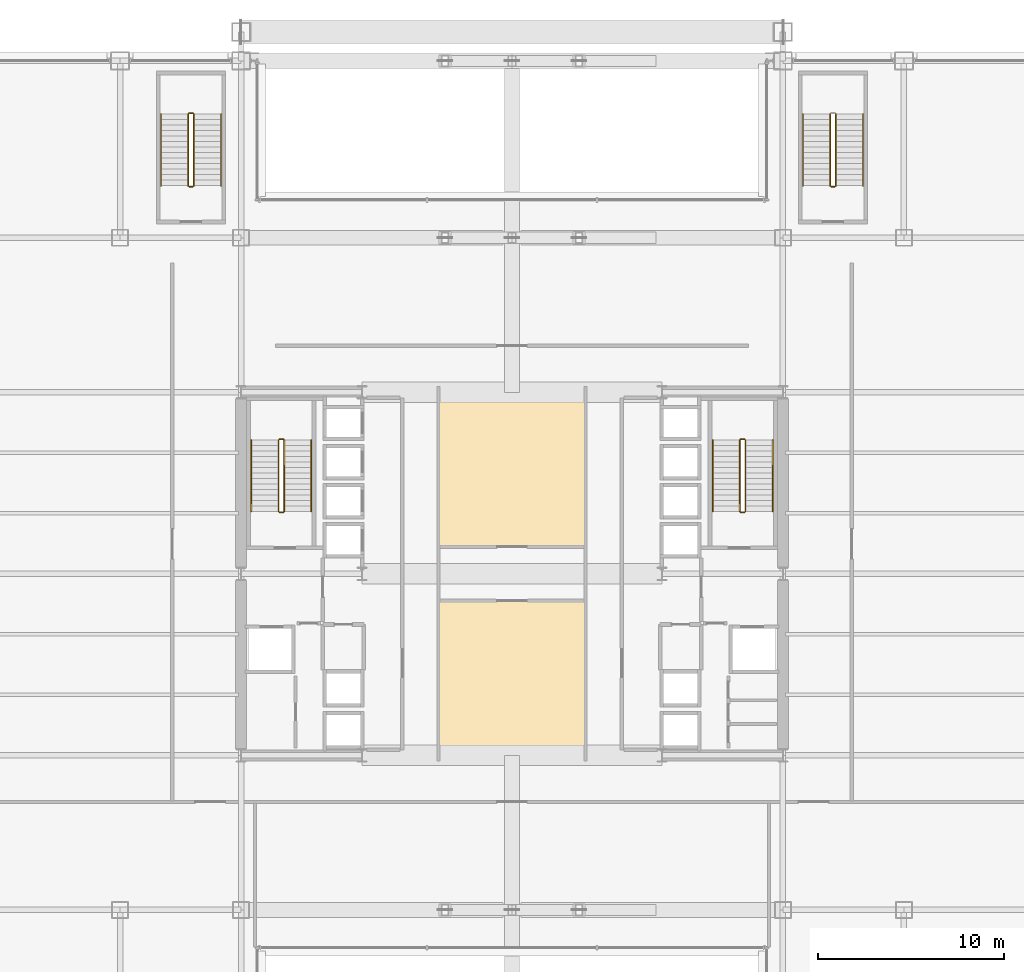
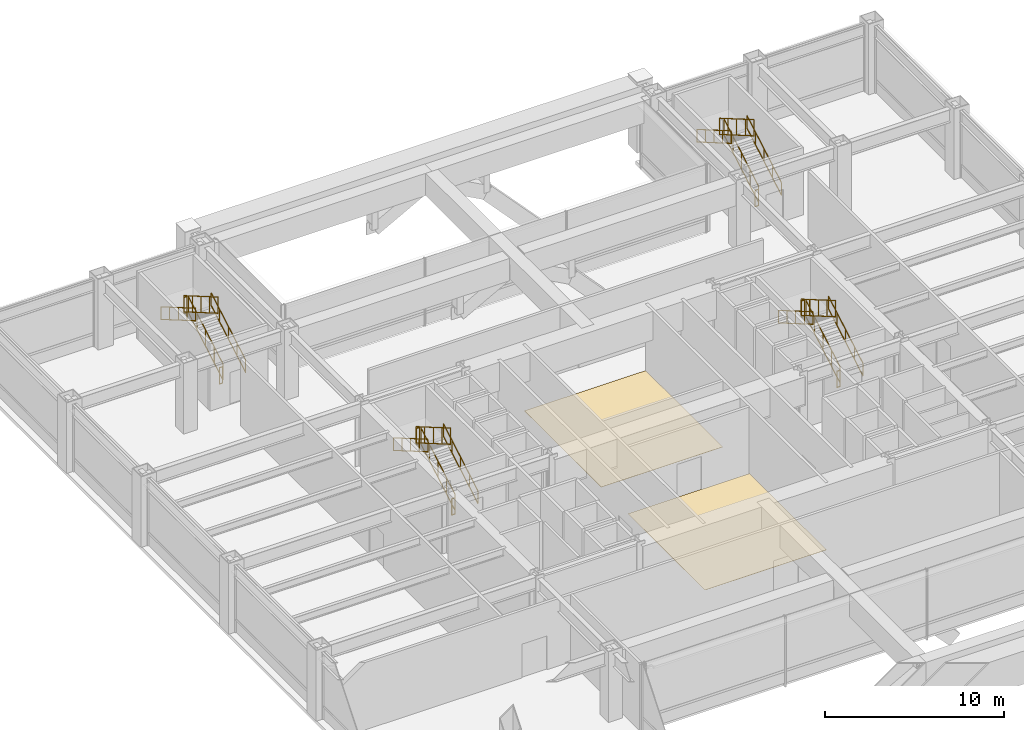
# One storey, part 36 of 37: 23 railings, 2 coverings.
"""IFC4 building model written with IfcOpenShell, lengths in metres."""

from ifc_helpers import new_model, si_unit, direction, frame, origin, origin_2d, place, context, subcontext, project, spatial, polyline, rectangle, outline, extrude, material, layer, layer_set, type_object, element, save


model = new_model("IFC4")

# Units and contexts
model_context = context("Model", 3, precision=1e-05, world=origin(), true_north=direction((0.0, 1.0)))
body_context = subcontext(model_context, "Body", "Model", "MODEL_VIEW")
ifc_project = project(units=[si_unit("LENGTHUNIT", "METRE"), si_unit("AREAUNIT", "SQUARE_METRE"), si_unit("VOLUMEUNIT", "CUBIC_METRE"), si_unit("PLANEANGLEUNIT", "RADIAN"), si_unit("MASSUNIT", "GRAM", prefix="KILO")], contexts=[model_context])

# Site, building, storey
site_placement = place(None, origin())
site = spatial("IfcSite", under=ifc_project, at=site_placement, CompositionType="ELEMENT")
building_placement = place(site_placement, origin())
building = spatial("IfcBuilding", under=site, at=building_placement, Name="Brelmoor Portico Tower", CompositionType="ELEMENT")
storey_placement = place(building_placement, frame((0.0, 0.0, 14.39990234375)))
storey = spatial("IfcBuildingStorey", under=building, at=storey_placement, Name="L03", CompositionType="ELEMENT", Elevation=14.39990234375)

# Coverings
ifc_material_1 = material(Name="Solution-Dyed Nylon Acoustic Carpet Tile", Category="textile")
ifc_layer_1 = layer(ifc_material_1, 0.013916015625)
ifc_layer_set_1 = layer_set([ifc_layer_1], Name="Solution-Dyed Nylon Acoustic Carpet Tile")
covering_type_1 = type_object("IfcCoveringType", Name="CV-FLR-CARPET-14", PredefinedType="FLOORING", material=ifc_layer_set_1)
covering_1_placement = place(storey_placement, origin())
element("IfcCovering", 1, at=covering_1_placement, inside=storey, type_object=covering_type_1, Name="L03 Architectural Floor Finish 01", PredefinedType="FLOORING", context=body_context, shape_type="SweptSolid", body=[
    extrude(outline(polyline([(-3.909912109375, 1.489990234375), (-3.909912109375, 10.06005859375), (3.909912109375, 10.06005859375), (3.909912109375, 1.489990234375), (-3.909912109375, 1.489990234375)])), origin(), (0.0, 0.0, 1.0), 0.01416015625),
])
ifc_material_2 = material(Name="Rectified Vitrified Porcelain Floor Tile", Category="ceramic")
ifc_layer_2 = layer(ifc_material_2, 0.01806640625)
ifc_layer_set_2 = layer_set([ifc_layer_2], Name="Rectified Vitrified Porcelain Floor Tile")
covering_type_2 = type_object("IfcCoveringType", Name="CV-FLR-PORCELAIN-18", PredefinedType="FLOORING", material=ifc_layer_set_2)
covering_2_placement = place(storey_placement, origin())
element("IfcCovering", 2, at=covering_2_placement, inside=storey, type_object=covering_type_2, Name="L03 Architectural Floor Finish 02", PredefinedType="FLOORING", context=body_context, shape_type="SweptSolid", body=[
    extrude(outline(polyline([(-3.909912109375, -10.06005859375), (-3.909912109375, -1.489990234375), (3.909912109375, -1.489990234375), (3.909912109375, -10.06005859375), (-3.909912109375, -10.06005859375)])), origin(), (0.0, 0.0, 1.0), 0.01806640625),
])

# Railings
ifc_material_3 = material(Name="Painted Tubular Steel Q235B", Category="steel")
railing_type_1 = type_object("IfcRailingType", Name="RL-STAIR-GUARD", PredefinedType="GUARDRAIL", material=ifc_material_3)
railing_1_placement = place(storey_placement, frame((-12.239990234375, 3.35009765625, 0.171630859375)))
element("IfcRailing", 3, at=railing_1_placement, inside=storey, type_object=railing_type_1, Name="L03 ST-W stair guard 1", PredefinedType="GUARDRAIL", context=body_context, shape_type="SweptSolid", body=[
    extrude(rectangle(XDim=0.048095703125, YDim=0.048095703125, at=origin_2d()), frame((0.0, 0.0, 1.1259765625), z_axis=(0.0, 0.86461618451, 0.502432934314), x_axis=(-1.0, 0.0, 0.0)), (0.0, 0.0, 1.0), 4.435546875),
    extrude(rectangle(XDim=0.048095703125, YDim=0.048095703125, at=origin_2d()), frame((0.0, 0.0, 0.02392578125), z_axis=(0.0, 0.86461618451, 0.502432934314), x_axis=(-1.0, 0.0, 0.0)), (0.0, 0.0, 1.0), 4.435546875),
    extrude(rectangle(XDim=0.0419921875, YDim=0.0419921875, at=origin_2d()), origin(), (0.0, 0.0, 1.0), 1.101806640625),
    extrude(rectangle(XDim=0.0419921875, YDim=0.0419921875, at=origin_2d()), frame((0.0, 0.958740234375, 0.55712890625)), (0.0, 0.0, 1.0), 1.101806640625),
    extrude(rectangle(XDim=0.0419921875, YDim=0.0419921875, at=origin_2d()), frame((0.0, 1.91748046875, 1.1142578125)), (0.0, 0.0, 1.0), 1.101806640625),
    extrude(rectangle(XDim=0.0419921875, YDim=0.0419921875, at=origin_2d()), frame((0.0, 2.876220703125, 1.67138671875)), (0.0, 0.0, 1.0), 1.101806640625),
    extrude(rectangle(XDim=0.0419921875, YDim=0.0419921875, at=origin_2d()), frame((0.0, 3.8349609375, 2.228515625)), (0.0, 0.0, 1.0), 1.101806640625),
])
railing_2_placement = place(storey_placement, frame((-12.2900390625, 7.235107421875, 2.400146484375)))
element("IfcRailing", 4, at=railing_2_placement, inside=storey, type_object=railing_type_1, Name="L03 ST-W stair guard 2", PredefinedType="GUARDRAIL", context=body_context, shape_type="SweptSolid", body=[
    extrude(rectangle(XDim=0.048095703125, YDim=0.048095703125, at=origin_2d()), frame((0.0, 0.0, 1.1259765625), z_axis=(-1.0, 0.0, 0.0), x_axis=(0.0, -1.0, 0.0)), (0.0, 0.0, 1.0), 0.199951171875),
    extrude(rectangle(XDim=0.048095703125, YDim=0.048095703125, at=origin_2d()), frame((0.0, 0.0, 0.02392578125), z_axis=(-1.0, 0.0, 0.0), x_axis=(0.0, -1.0, 0.0)), (0.0, 0.0, 1.0), 0.199951171875),
    extrude(rectangle(XDim=0.0419921875, YDim=0.0419921875, at=origin_2d()), origin(), (0.0, 0.0, 1.0), 1.101806640625),
    extrude(rectangle(XDim=0.0419921875, YDim=0.0419921875, at=origin_2d()), frame((-0.199951171875, 0.0, 0.0)), (0.0, 0.0, 1.0), 1.101806640625),
])
railing_3_placement = place(storey_placement, frame((-12.5400390625, 7.18505859375, 2.571533203125)))
element("IfcRailing", 5, at=railing_3_placement, inside=storey, type_object=railing_type_1, Name="L03 ST-W stair guard 3", PredefinedType="GUARDRAIL", context=body_context, shape_type="SweptSolid", body=[
    extrude(rectangle(XDim=0.048095703125, YDim=0.048095703125, at=origin_2d()), frame((0.0, 0.0, 1.1259765625), z_axis=(0.0, -0.86461618451, 0.502432934314), x_axis=(1.0, 0.0, 0.0)), (0.0, 0.0, 1.0), 4.435546875),
    extrude(rectangle(XDim=0.048095703125, YDim=0.048095703125, at=origin_2d()), frame((0.0, 0.0, 0.02392578125), z_axis=(0.0, -0.86461618451, 0.502432934314), x_axis=(1.0, 0.0, 0.0)), (0.0, 0.0, 1.0), 4.435546875),
    extrude(rectangle(XDim=0.0419921875, YDim=0.0419921875, at=origin_2d()), origin(), (0.0, 0.0, 1.0), 1.101806640625),
    extrude(rectangle(XDim=0.0419921875, YDim=0.0419921875, at=origin_2d()), frame((0.0, -0.958740234375, 0.55712890625)), (0.0, 0.0, 1.0), 1.101806640625),
    extrude(rectangle(XDim=0.0419921875, YDim=0.0419921875, at=origin_2d()), frame((0.0, -1.91748046875, 1.1142578125)), (0.0, 0.0, 1.0), 1.101806640625),
    extrude(rectangle(XDim=0.0419921875, YDim=0.0419921875, at=origin_2d()), frame((0.0, -2.876220703125, 1.67138671875)), (0.0, 0.0, 1.0), 1.101806640625),
    extrude(rectangle(XDim=0.0419921875, YDim=0.0419921875, at=origin_2d()), frame((0.0, -3.8349609375, 2.228515625)), (0.0, 0.0, 1.0), 1.101806640625),
])
railing_4_placement = place(storey_placement, frame((-12.2900390625, 3.300048828125, 0.0)))
element("IfcRailing", 6, at=railing_4_placement, inside=storey, type_object=railing_type_1, Name="L03 ST-W stair guard 4", PredefinedType="GUARDRAIL", context=body_context, shape_type="SweptSolid", body=[
    extrude(rectangle(XDim=0.048095703125, YDim=0.048095703125, at=origin_2d()), frame((0.0, 0.0, 1.1259765625), z_axis=(-1.0, 0.0, 0.0), x_axis=(0.0, -1.0, 0.0)), (0.0, 0.0, 1.0), 0.199951171875),
    extrude(rectangle(XDim=0.048095703125, YDim=0.048095703125, at=origin_2d()), frame((0.0, 0.0, 0.02392578125), z_axis=(-1.0, 0.0, 0.0), x_axis=(0.0, -1.0, 0.0)), (0.0, 0.0, 1.0), 0.199951171875),
    extrude(rectangle(XDim=0.0419921875, YDim=0.0419921875, at=origin_2d()), origin(), (0.0, 0.0, 1.0), 1.101806640625),
    extrude(rectangle(XDim=0.0419921875, YDim=0.0419921875, at=origin_2d()), frame((-0.199951171875, 0.0, 0.0)), (0.0, 0.0, 1.0), 1.101806640625),
])
railing_5_placement = place(storey_placement, frame((12.5400390625, 3.35009765625, 0.171630859375)))
element("IfcRailing", 7, at=railing_5_placement, inside=storey, type_object=railing_type_1, Name="L03 ST-E stair guard 1", PredefinedType="GUARDRAIL", context=body_context, shape_type="SweptSolid", body=[
    extrude(rectangle(XDim=0.048095703125, YDim=0.048095703125, at=origin_2d()), frame((0.0, 0.0, 1.1259765625), z_axis=(0.0, 0.86461618451, 0.502432934314), x_axis=(-1.0, 0.0, 0.0)), (0.0, 0.0, 1.0), 4.435546875),
    extrude(rectangle(XDim=0.048095703125, YDim=0.048095703125, at=origin_2d()), frame((0.0, 0.0, 0.02392578125), z_axis=(0.0, 0.86461618451, 0.502432934314), x_axis=(-1.0, 0.0, 0.0)), (0.0, 0.0, 1.0), 4.435546875),
    extrude(rectangle(XDim=0.0419921875, YDim=0.0419921875, at=origin_2d()), origin(), (0.0, 0.0, 1.0), 1.101806640625),
    extrude(rectangle(XDim=0.0419921875, YDim=0.0419921875, at=origin_2d()), frame((0.0, 0.958740234375, 0.55712890625)), (0.0, 0.0, 1.0), 1.101806640625),
    extrude(rectangle(XDim=0.0419921875, YDim=0.0419921875, at=origin_2d()), frame((0.0, 1.91748046875, 1.1142578125)), (0.0, 0.0, 1.0), 1.101806640625),
    extrude(rectangle(XDim=0.0419921875, YDim=0.0419921875, at=origin_2d()), frame((0.0, 2.876220703125, 1.67138671875)), (0.0, 0.0, 1.0), 1.101806640625),
    extrude(rectangle(XDim=0.0419921875, YDim=0.0419921875, at=origin_2d()), frame((0.0, 3.8349609375, 2.228515625)), (0.0, 0.0, 1.0), 1.101806640625),
])
railing_6_placement = place(storey_placement, frame((12.489990234375, 7.235107421875, 2.400146484375)))
element("IfcRailing", 8, at=railing_6_placement, inside=storey, type_object=railing_type_1, Name="L03 ST-E stair guard 2", PredefinedType="GUARDRAIL", context=body_context, shape_type="SweptSolid", body=[
    extrude(rectangle(XDim=0.048095703125, YDim=0.048095703125, at=origin_2d()), frame((0.0, 0.0, 1.1259765625), z_axis=(-1.0, 0.0, 0.0), x_axis=(0.0, -1.0, 0.0)), (0.0, 0.0, 1.0), 0.199951171875),
    extrude(rectangle(XDim=0.048095703125, YDim=0.048095703125, at=origin_2d()), frame((0.0, 0.0, 0.02392578125), z_axis=(-1.0, 0.0, 0.0), x_axis=(0.0, -1.0, 0.0)), (0.0, 0.0, 1.0), 0.199951171875),
    extrude(rectangle(XDim=0.0419921875, YDim=0.0419921875, at=origin_2d()), origin(), (0.0, 0.0, 1.0), 1.101806640625),
    extrude(rectangle(XDim=0.0419921875, YDim=0.0419921875, at=origin_2d()), frame((-0.199951171875, 0.0, 0.0)), (0.0, 0.0, 1.0), 1.101806640625),
])
railing_7_placement = place(storey_placement, frame((12.239990234375, 7.18505859375, 2.571533203125)))
element("IfcRailing", 9, at=railing_7_placement, inside=storey, type_object=railing_type_1, Name="L03 ST-E stair guard 3", PredefinedType="GUARDRAIL", context=body_context, shape_type="SweptSolid", body=[
    extrude(rectangle(XDim=0.048095703125, YDim=0.048095703125, at=origin_2d()), frame((0.0, 0.0, 1.1259765625), z_axis=(0.0, -0.86461618451, 0.502432934314), x_axis=(1.0, 0.0, 0.0)), (0.0, 0.0, 1.0), 4.435546875),
    extrude(rectangle(XDim=0.048095703125, YDim=0.048095703125, at=origin_2d()), frame((0.0, 0.0, 0.02392578125), z_axis=(0.0, -0.86461618451, 0.502432934314), x_axis=(1.0, 0.0, 0.0)), (0.0, 0.0, 1.0), 4.435546875),
    extrude(rectangle(XDim=0.0419921875, YDim=0.0419921875, at=origin_2d()), origin(), (0.0, 0.0, 1.0), 1.101806640625),
    extrude(rectangle(XDim=0.0419921875, YDim=0.0419921875, at=origin_2d()), frame((0.0, -0.958740234375, 0.55712890625)), (0.0, 0.0, 1.0), 1.101806640625),
    extrude(rectangle(XDim=0.0419921875, YDim=0.0419921875, at=origin_2d()), frame((0.0, -1.91748046875, 1.1142578125)), (0.0, 0.0, 1.0), 1.101806640625),
    extrude(rectangle(XDim=0.0419921875, YDim=0.0419921875, at=origin_2d()), frame((0.0, -2.876220703125, 1.67138671875)), (0.0, 0.0, 1.0), 1.101806640625),
    extrude(rectangle(XDim=0.0419921875, YDim=0.0419921875, at=origin_2d()), frame((0.0, -3.8349609375, 2.228515625)), (0.0, 0.0, 1.0), 1.101806640625),
])
railing_8_placement = place(storey_placement, frame((12.489990234375, 3.300048828125, 0.0)))
element("IfcRailing", 10, at=railing_8_placement, inside=storey, type_object=railing_type_1, Name="L03 ST-E stair guard 4", PredefinedType="GUARDRAIL", context=body_context, shape_type="SweptSolid", body=[
    extrude(rectangle(XDim=0.048095703125, YDim=0.048095703125, at=origin_2d()), frame((0.0, 0.0, 1.1259765625), z_axis=(-1.0, 0.0, 0.0), x_axis=(0.0, -1.0, 0.0)), (0.0, 0.0, 1.0), 0.199951171875),
    extrude(rectangle(XDim=0.048095703125, YDim=0.048095703125, at=origin_2d()), frame((0.0, 0.0, 0.02392578125), z_axis=(-1.0, 0.0, 0.0), x_axis=(0.0, -1.0, 0.0)), (0.0, 0.0, 1.0), 0.199951171875),
    extrude(rectangle(XDim=0.0419921875, YDim=0.0419921875, at=origin_2d()), origin(), (0.0, 0.0, 1.0), 1.101806640625),
    extrude(rectangle(XDim=0.0419921875, YDim=0.0419921875, at=origin_2d()), frame((-0.199951171875, 0.0, 0.0)), (0.0, 0.0, 1.0), 1.101806640625),
])
railing_9_placement = place(storey_placement, frame((-17.090087890625, 20.85009765625, 0.171630859375)))
element("IfcRailing", 11, at=railing_9_placement, inside=storey, type_object=railing_type_1, Name="L03 ST-P1 stair guard 1", PredefinedType="GUARDRAIL", context=body_context, shape_type="SweptSolid", body=[
    extrude(rectangle(XDim=0.048095703125, YDim=0.048095703125, at=origin_2d()), frame((0.0, 0.0, 1.1259765625), z_axis=(0.0, 0.86461618451, 0.502432934314), x_axis=(-1.0, 0.0, 0.0)), (0.0, 0.0, 1.0), 4.435546875),
    extrude(rectangle(XDim=0.048095703125, YDim=0.048095703125, at=origin_2d()), frame((0.0, 0.0, 0.02392578125), z_axis=(0.0, 0.86461618451, 0.502432934314), x_axis=(-1.0, 0.0, 0.0)), (0.0, 0.0, 1.0), 4.435546875),
    extrude(rectangle(XDim=0.0419921875, YDim=0.0419921875, at=origin_2d()), origin(), (0.0, 0.0, 1.0), 1.101806640625),
    extrude(rectangle(XDim=0.0419921875, YDim=0.0419921875, at=origin_2d()), frame((0.0, 0.958740234375, 0.55712890625)), (0.0, 0.0, 1.0), 1.101806640625),
    extrude(rectangle(XDim=0.0419921875, YDim=0.0419921875, at=origin_2d()), frame((0.0, 1.91748046875, 1.1142578125)), (0.0, 0.0, 1.0), 1.101806640625),
    extrude(rectangle(XDim=0.0419921875, YDim=0.0419921875, at=origin_2d()), frame((0.0, 2.876220703125, 1.67138671875)), (0.0, 0.0, 1.0), 1.101806640625),
    extrude(rectangle(XDim=0.0419921875, YDim=0.0419921875, at=origin_2d()), frame((0.0, 3.8349609375, 2.228515625)), (0.0, 0.0, 1.0), 1.101806640625),
])
railing_10_placement = place(storey_placement, frame((-17.139892578125, 24.735107421875, 2.400146484375)))
element("IfcRailing", 12, at=railing_10_placement, inside=storey, type_object=railing_type_1, Name="L03 ST-P1 stair guard 2", PredefinedType="GUARDRAIL", context=body_context, shape_type="SweptSolid", body=[
    extrude(rectangle(XDim=0.048095703125, YDim=0.048095703125, at=origin_2d()), frame((0.0, 0.0, 1.1259765625), z_axis=(-1.0, 0.0, 0.0), x_axis=(0.0, -1.0, 0.0)), (0.0, 0.0, 1.0), 0.2001953125),
    extrude(rectangle(XDim=0.048095703125, YDim=0.048095703125, at=origin_2d()), frame((0.0, 0.0, 0.02392578125), z_axis=(-1.0, 0.0, 0.0), x_axis=(0.0, -1.0, 0.0)), (0.0, 0.0, 1.0), 0.2001953125),
    extrude(rectangle(XDim=0.0419921875, YDim=0.0419921875, at=origin_2d()), origin(), (0.0, 0.0, 1.0), 1.101806640625),
    extrude(rectangle(XDim=0.0419921875, YDim=0.0419921875, at=origin_2d()), frame((-0.2001953125, 0.0, 0.0)), (0.0, 0.0, 1.0), 1.101806640625),
])
railing_11_placement = place(storey_placement, frame((-17.389892578125, 24.68505859375, 2.571533203125)))
element("IfcRailing", 13, at=railing_11_placement, inside=storey, type_object=railing_type_1, Name="L03 ST-P1 stair guard 3", PredefinedType="GUARDRAIL", context=body_context, shape_type="SweptSolid", body=[
    extrude(rectangle(XDim=0.048095703125, YDim=0.048095703125, at=origin_2d()), frame((0.0, 0.0, 1.1259765625), z_axis=(0.0, -0.86461618451, 0.502432934314), x_axis=(1.0, 0.0, 0.0)), (0.0, 0.0, 1.0), 4.435546875),
    extrude(rectangle(XDim=0.048095703125, YDim=0.048095703125, at=origin_2d()), frame((0.0, 0.0, 0.02392578125), z_axis=(0.0, -0.86461618451, 0.502432934314), x_axis=(1.0, 0.0, 0.0)), (0.0, 0.0, 1.0), 4.435546875),
    extrude(rectangle(XDim=0.0419921875, YDim=0.0419921875, at=origin_2d()), origin(), (0.0, 0.0, 1.0), 1.101806640625),
    extrude(rectangle(XDim=0.0419921875, YDim=0.0419921875, at=origin_2d()), frame((0.0, -0.958740234375, 0.55712890625)), (0.0, 0.0, 1.0), 1.101806640625),
    extrude(rectangle(XDim=0.0419921875, YDim=0.0419921875, at=origin_2d()), frame((0.0, -1.91748046875, 1.1142578125)), (0.0, 0.0, 1.0), 1.101806640625),
    extrude(rectangle(XDim=0.0419921875, YDim=0.0419921875, at=origin_2d()), frame((0.0, -2.876220703125, 1.67138671875)), (0.0, 0.0, 1.0), 1.101806640625),
    extrude(rectangle(XDim=0.0419921875, YDim=0.0419921875, at=origin_2d()), frame((0.0, -3.8349609375, 2.228515625)), (0.0, 0.0, 1.0), 1.101806640625),
])
railing_12_placement = place(storey_placement, frame((-17.139892578125, 20.800048828125, 0.0)))
element("IfcRailing", 14, at=railing_12_placement, inside=storey, type_object=railing_type_1, Name="L03 ST-P1 stair guard 4", PredefinedType="GUARDRAIL", context=body_context, shape_type="SweptSolid", body=[
    extrude(rectangle(XDim=0.048095703125, YDim=0.048095703125, at=origin_2d()), frame((0.0, 0.0, 1.1259765625), z_axis=(-1.0, 0.0, 0.0), x_axis=(0.0, -1.0, 0.0)), (0.0, 0.0, 1.0), 0.2001953125),
    extrude(rectangle(XDim=0.048095703125, YDim=0.048095703125, at=origin_2d()), frame((0.0, 0.0, 0.02392578125), z_axis=(-1.0, 0.0, 0.0), x_axis=(0.0, -1.0, 0.0)), (0.0, 0.0, 1.0), 0.2001953125),
    extrude(rectangle(XDim=0.0419921875, YDim=0.0419921875, at=origin_2d()), origin(), (0.0, 0.0, 1.0), 1.101806640625),
    extrude(rectangle(XDim=0.0419921875, YDim=0.0419921875, at=origin_2d()), frame((-0.2001953125, 0.0, 0.0)), (0.0, 0.0, 1.0), 1.101806640625),
])
railing_13_placement = place(storey_placement, frame((17.389892578125, 20.85009765625, 0.171630859375)))
element("IfcRailing", 15, at=railing_13_placement, inside=storey, type_object=railing_type_1, Name="L03 ST-P2 stair guard 1", PredefinedType="GUARDRAIL", context=body_context, shape_type="SweptSolid", body=[
    extrude(rectangle(XDim=0.048095703125, YDim=0.048095703125, at=origin_2d()), frame((0.0, 0.0, 1.1259765625), z_axis=(0.0, 0.86461618451, 0.502432934314), x_axis=(-1.0, 0.0, 0.0)), (0.0, 0.0, 1.0), 4.435546875),
    extrude(rectangle(XDim=0.048095703125, YDim=0.048095703125, at=origin_2d()), frame((0.0, 0.0, 0.02392578125), z_axis=(0.0, 0.86461618451, 0.502432934314), x_axis=(-1.0, 0.0, 0.0)), (0.0, 0.0, 1.0), 4.435546875),
    extrude(rectangle(XDim=0.0419921875, YDim=0.0419921875, at=origin_2d()), origin(), (0.0, 0.0, 1.0), 1.101806640625),
    extrude(rectangle(XDim=0.0419921875, YDim=0.0419921875, at=origin_2d()), frame((0.0, 0.958740234375, 0.55712890625)), (0.0, 0.0, 1.0), 1.101806640625),
    extrude(rectangle(XDim=0.0419921875, YDim=0.0419921875, at=origin_2d()), frame((0.0, 1.91748046875, 1.1142578125)), (0.0, 0.0, 1.0), 1.101806640625),
    extrude(rectangle(XDim=0.0419921875, YDim=0.0419921875, at=origin_2d()), frame((0.0, 2.876220703125, 1.67138671875)), (0.0, 0.0, 1.0), 1.101806640625),
    extrude(rectangle(XDim=0.0419921875, YDim=0.0419921875, at=origin_2d()), frame((0.0, 3.8349609375, 2.228515625)), (0.0, 0.0, 1.0), 1.101806640625),
])
railing_14_placement = place(storey_placement, frame((17.090087890625, 24.68505859375, 2.571533203125)))
element("IfcRailing", 16, at=railing_14_placement, inside=storey, type_object=railing_type_1, Name="L03 ST-P2 stair guard 3", PredefinedType="GUARDRAIL", context=body_context, shape_type="SweptSolid", body=[
    extrude(rectangle(XDim=0.048095703125, YDim=0.048095703125, at=origin_2d()), frame((0.0, 0.0, 1.1259765625), z_axis=(0.0, -0.86461618451, 0.502432934314), x_axis=(1.0, 0.0, 0.0)), (0.0, 0.0, 1.0), 4.435546875),
    extrude(rectangle(XDim=0.048095703125, YDim=0.048095703125, at=origin_2d()), frame((0.0, 0.0, 0.02392578125), z_axis=(0.0, -0.86461618451, 0.502432934314), x_axis=(1.0, 0.0, 0.0)), (0.0, 0.0, 1.0), 4.435546875),
    extrude(rectangle(XDim=0.0419921875, YDim=0.0419921875, at=origin_2d()), origin(), (0.0, 0.0, 1.0), 1.101806640625),
    extrude(rectangle(XDim=0.0419921875, YDim=0.0419921875, at=origin_2d()), frame((0.0, -0.958740234375, 0.55712890625)), (0.0, 0.0, 1.0), 1.101806640625),
    extrude(rectangle(XDim=0.0419921875, YDim=0.0419921875, at=origin_2d()), frame((0.0, -1.91748046875, 1.1142578125)), (0.0, 0.0, 1.0), 1.101806640625),
    extrude(rectangle(XDim=0.0419921875, YDim=0.0419921875, at=origin_2d()), frame((0.0, -2.876220703125, 1.67138671875)), (0.0, 0.0, 1.0), 1.101806640625),
    extrude(rectangle(XDim=0.0419921875, YDim=0.0419921875, at=origin_2d()), frame((0.0, -3.8349609375, 2.228515625)), (0.0, 0.0, 1.0), 1.101806640625),
])
railing_15_placement = place(storey_placement, frame((17.340087890625, 20.800048828125, 0.0)))
element("IfcRailing", 17, at=railing_15_placement, inside=storey, type_object=railing_type_1, Name="L03 ST-P2 stair guard 4", PredefinedType="GUARDRAIL", context=body_context, shape_type="SweptSolid", body=[
    extrude(rectangle(XDim=0.048095703125, YDim=0.048095703125, at=origin_2d()), frame((0.0, 0.0, 1.1259765625), z_axis=(-1.0, 0.0, 0.0), x_axis=(0.0, -1.0, 0.0)), (0.0, 0.0, 1.0), 0.2001953125),
    extrude(rectangle(XDim=0.048095703125, YDim=0.048095703125, at=origin_2d()), frame((0.0, 0.0, 0.02392578125), z_axis=(-1.0, 0.0, 0.0), x_axis=(0.0, -1.0, 0.0)), (0.0, 0.0, 1.0), 0.2001953125),
    extrude(rectangle(XDim=0.0419921875, YDim=0.0419921875, at=origin_2d()), origin(), (0.0, 0.0, 1.0), 1.101806640625),
    extrude(rectangle(XDim=0.0419921875, YDim=0.0419921875, at=origin_2d()), frame((-0.2001953125, 0.0, 0.0)), (0.0, 0.0, 1.0), 1.101806640625),
])
ifc_material_4 = material(Name="Brushed Stainless Steel 304", Category="steel")
railing_type_2 = type_object("IfcRailingType", Name="RL-STAIR-HANDRAIL", PredefinedType="HANDRAIL", material=ifc_material_4)
railing_16_placement = place(storey_placement, frame((-10.780029296875, 3.35009765625, 0.171630859375)))
element("IfcRailing", 18, at=railing_16_placement, inside=storey, type_object=railing_type_2, Name="L03 ST-W stair handrail 1", PredefinedType="HANDRAIL", context=body_context, shape_type="SweptSolid", body=[
    extrude(rectangle(XDim=0.048095703125, YDim=0.048095703125, at=origin_2d()), frame((0.0, 0.0, 0.8759765625), z_axis=(0.0, 0.86461618451, 0.502432934314), x_axis=(-1.0, 0.0, 0.0)), (0.0, 0.0, 1.0), 4.435546875),
    extrude(rectangle(XDim=0.048095703125, YDim=0.048095703125, at=origin_2d()), frame((0.0, 0.0, 0.02392578125), z_axis=(0.0, 0.86461618451, 0.502432934314), x_axis=(-1.0, 0.0, 0.0)), (0.0, 0.0, 1.0), 4.435546875),
    extrude(rectangle(XDim=0.0419921875, YDim=0.0419921875, at=origin_2d()), origin(), (0.0, 0.0, 1.0), 0.851806640625),
    extrude(rectangle(XDim=0.0419921875, YDim=0.0419921875, at=origin_2d()), frame((0.0, 0.958740234375, 0.55712890625)), (0.0, 0.0, 1.0), 0.851806640625),
    extrude(rectangle(XDim=0.0419921875, YDim=0.0419921875, at=origin_2d()), frame((0.0, 1.91748046875, 1.1142578125)), (0.0, 0.0, 1.0), 0.851806640625),
    extrude(rectangle(XDim=0.0419921875, YDim=0.0419921875, at=origin_2d()), frame((0.0, 2.876220703125, 1.67138671875)), (0.0, 0.0, 1.0), 0.851806640625),
    extrude(rectangle(XDim=0.0419921875, YDim=0.0419921875, at=origin_2d()), frame((0.0, 3.8349609375, 2.228515625)), (0.0, 0.0, 1.0), 0.851806640625),
])
railing_17_placement = place(storey_placement, frame((-14.0, 7.18505859375, 2.571533203125)))
element("IfcRailing", 19, at=railing_17_placement, inside=storey, type_object=railing_type_2, Name="L03 ST-W stair handrail 2", PredefinedType="HANDRAIL", context=body_context, shape_type="SweptSolid", body=[
    extrude(rectangle(XDim=0.048095703125, YDim=0.048095703125, at=origin_2d()), frame((0.0, 0.0, 0.8759765625), z_axis=(0.0, -0.86461618451, 0.502432934314), x_axis=(1.0, 0.0, 0.0)), (0.0, 0.0, 1.0), 4.435546875),
    extrude(rectangle(XDim=0.048095703125, YDim=0.048095703125, at=origin_2d()), frame((0.0, 0.0, 0.02392578125), z_axis=(0.0, -0.86461618451, 0.502432934314), x_axis=(1.0, 0.0, 0.0)), (0.0, 0.0, 1.0), 4.435546875),
    extrude(rectangle(XDim=0.0419921875, YDim=0.0419921875, at=origin_2d()), origin(), (0.0, 0.0, 1.0), 0.851806640625),
    extrude(rectangle(XDim=0.0419921875, YDim=0.0419921875, at=origin_2d()), frame((0.0, -0.958740234375, 0.55712890625)), (0.0, 0.0, 1.0), 0.851806640625),
    extrude(rectangle(XDim=0.0419921875, YDim=0.0419921875, at=origin_2d()), frame((0.0, -1.91748046875, 1.1142578125)), (0.0, 0.0, 1.0), 0.851806640625),
    extrude(rectangle(XDim=0.0419921875, YDim=0.0419921875, at=origin_2d()), frame((0.0, -2.876220703125, 1.67138671875)), (0.0, 0.0, 1.0), 0.851806640625),
    extrude(rectangle(XDim=0.0419921875, YDim=0.0419921875, at=origin_2d()), frame((0.0, -3.8349609375, 2.228515625)), (0.0, 0.0, 1.0), 0.851806640625),
])
railing_18_placement = place(storey_placement, frame((14.0, 3.35009765625, 0.171630859375)))
element("IfcRailing", 20, at=railing_18_placement, inside=storey, type_object=railing_type_2, Name="L03 ST-E stair handrail 1", PredefinedType="HANDRAIL", context=body_context, shape_type="SweptSolid", body=[
    extrude(rectangle(XDim=0.048095703125, YDim=0.048095703125, at=origin_2d()), frame((0.0, 0.0, 0.8759765625), z_axis=(0.0, 0.86461618451, 0.502432934314), x_axis=(-1.0, 0.0, 0.0)), (0.0, 0.0, 1.0), 4.435546875),
    extrude(rectangle(XDim=0.048095703125, YDim=0.048095703125, at=origin_2d()), frame((0.0, 0.0, 0.02392578125), z_axis=(0.0, 0.86461618451, 0.502432934314), x_axis=(-1.0, 0.0, 0.0)), (0.0, 0.0, 1.0), 4.435546875),
    extrude(rectangle(XDim=0.0419921875, YDim=0.0419921875, at=origin_2d()), origin(), (0.0, 0.0, 1.0), 0.851806640625),
    extrude(rectangle(XDim=0.0419921875, YDim=0.0419921875, at=origin_2d()), frame((0.0, 0.958740234375, 0.55712890625)), (0.0, 0.0, 1.0), 0.851806640625),
    extrude(rectangle(XDim=0.0419921875, YDim=0.0419921875, at=origin_2d()), frame((0.0, 1.91748046875, 1.1142578125)), (0.0, 0.0, 1.0), 0.851806640625),
    extrude(rectangle(XDim=0.0419921875, YDim=0.0419921875, at=origin_2d()), frame((0.0, 2.876220703125, 1.67138671875)), (0.0, 0.0, 1.0), 0.851806640625),
    extrude(rectangle(XDim=0.0419921875, YDim=0.0419921875, at=origin_2d()), frame((0.0, 3.8349609375, 2.228515625)), (0.0, 0.0, 1.0), 0.851806640625),
])
railing_19_placement = place(storey_placement, frame((10.780029296875, 7.18505859375, 2.571533203125)))
element("IfcRailing", 21, at=railing_19_placement, inside=storey, type_object=railing_type_2, Name="L03 ST-E stair handrail 2", PredefinedType="HANDRAIL", context=body_context, shape_type="SweptSolid", body=[
    extrude(rectangle(XDim=0.048095703125, YDim=0.048095703125, at=origin_2d()), frame((0.0, 0.0, 0.8759765625), z_axis=(0.0, -0.86461618451, 0.502432934314), x_axis=(1.0, 0.0, 0.0)), (0.0, 0.0, 1.0), 4.435546875),
    extrude(rectangle(XDim=0.048095703125, YDim=0.048095703125, at=origin_2d()), frame((0.0, 0.0, 0.02392578125), z_axis=(0.0, -0.86461618451, 0.502432934314), x_axis=(1.0, 0.0, 0.0)), (0.0, 0.0, 1.0), 4.435546875),
    extrude(rectangle(XDim=0.0419921875, YDim=0.0419921875, at=origin_2d()), origin(), (0.0, 0.0, 1.0), 0.851806640625),
    extrude(rectangle(XDim=0.0419921875, YDim=0.0419921875, at=origin_2d()), frame((0.0, -0.958740234375, 0.55712890625)), (0.0, 0.0, 1.0), 0.851806640625),
    extrude(rectangle(XDim=0.0419921875, YDim=0.0419921875, at=origin_2d()), frame((0.0, -1.91748046875, 1.1142578125)), (0.0, 0.0, 1.0), 0.851806640625),
    extrude(rectangle(XDim=0.0419921875, YDim=0.0419921875, at=origin_2d()), frame((0.0, -2.876220703125, 1.67138671875)), (0.0, 0.0, 1.0), 0.851806640625),
    extrude(rectangle(XDim=0.0419921875, YDim=0.0419921875, at=origin_2d()), frame((0.0, -3.8349609375, 2.228515625)), (0.0, 0.0, 1.0), 0.851806640625),
])
railing_20_placement = place(storey_placement, frame((-15.6298828125, 20.85009765625, 0.171630859375)))
element("IfcRailing", 22, at=railing_20_placement, inside=storey, type_object=railing_type_2, Name="L03 ST-P1 stair handrail 1", PredefinedType="HANDRAIL", context=body_context, shape_type="SweptSolid", body=[
    extrude(rectangle(XDim=0.048095703125, YDim=0.048095703125, at=origin_2d()), frame((0.0, 0.0, 0.8759765625), z_axis=(0.0, 0.86461618451, 0.502432934314), x_axis=(-1.0, 0.0, 0.0)), (0.0, 0.0, 1.0), 4.435546875),
    extrude(rectangle(XDim=0.048095703125, YDim=0.048095703125, at=origin_2d()), frame((0.0, 0.0, 0.02392578125), z_axis=(0.0, 0.86461618451, 0.502432934314), x_axis=(-1.0, 0.0, 0.0)), (0.0, 0.0, 1.0), 4.435546875),
    extrude(rectangle(XDim=0.0419921875, YDim=0.0419921875, at=origin_2d()), origin(), (0.0, 0.0, 1.0), 0.851806640625),
    extrude(rectangle(XDim=0.0419921875, YDim=0.0419921875, at=origin_2d()), frame((0.0, 0.958740234375, 0.55712890625)), (0.0, 0.0, 1.0), 0.851806640625),
    extrude(rectangle(XDim=0.0419921875, YDim=0.0419921875, at=origin_2d()), frame((0.0, 1.91748046875, 1.1142578125)), (0.0, 0.0, 1.0), 0.851806640625),
    extrude(rectangle(XDim=0.0419921875, YDim=0.0419921875, at=origin_2d()), frame((0.0, 2.876220703125, 1.67138671875)), (0.0, 0.0, 1.0), 0.851806640625),
    extrude(rectangle(XDim=0.0419921875, YDim=0.0419921875, at=origin_2d()), frame((0.0, 3.8349609375, 2.228515625)), (0.0, 0.0, 1.0), 0.851806640625),
])
railing_21_placement = place(storey_placement, frame((-18.85009765625, 24.68505859375, 2.571533203125)))
element("IfcRailing", 23, at=railing_21_placement, inside=storey, type_object=railing_type_2, Name="L03 ST-P1 stair handrail 2", PredefinedType="HANDRAIL", context=body_context, shape_type="SweptSolid", body=[
    extrude(rectangle(XDim=0.048095703125, YDim=0.048095703125, at=origin_2d()), frame((0.0, 0.0, 0.8759765625), z_axis=(0.0, -0.86461618451, 0.502432934314), x_axis=(1.0, 0.0, 0.0)), (0.0, 0.0, 1.0), 4.435546875),
    extrude(rectangle(XDim=0.048095703125, YDim=0.048095703125, at=origin_2d()), frame((0.0, 0.0, 0.02392578125), z_axis=(0.0, -0.86461618451, 0.502432934314), x_axis=(1.0, 0.0, 0.0)), (0.0, 0.0, 1.0), 4.435546875),
    extrude(rectangle(XDim=0.0419921875, YDim=0.0419921875, at=origin_2d()), origin(), (0.0, 0.0, 1.0), 0.851806640625),
    extrude(rectangle(XDim=0.0419921875, YDim=0.0419921875, at=origin_2d()), frame((0.0, -0.958740234375, 0.55712890625)), (0.0, 0.0, 1.0), 0.851806640625),
    extrude(rectangle(XDim=0.0419921875, YDim=0.0419921875, at=origin_2d()), frame((0.0, -1.91748046875, 1.1142578125)), (0.0, 0.0, 1.0), 0.851806640625),
    extrude(rectangle(XDim=0.0419921875, YDim=0.0419921875, at=origin_2d()), frame((0.0, -2.876220703125, 1.67138671875)), (0.0, 0.0, 1.0), 0.851806640625),
    extrude(rectangle(XDim=0.0419921875, YDim=0.0419921875, at=origin_2d()), frame((0.0, -3.8349609375, 2.228515625)), (0.0, 0.0, 1.0), 0.851806640625),
])
railing_22_placement = place(storey_placement, frame((18.85009765625, 20.85009765625, 0.171630859375)))
element("IfcRailing", 24, at=railing_22_placement, inside=storey, type_object=railing_type_2, Name="L03 ST-P2 stair handrail 1", PredefinedType="HANDRAIL", context=body_context, shape_type="SweptSolid", body=[
    extrude(rectangle(XDim=0.048095703125, YDim=0.048095703125, at=origin_2d()), frame((0.0, 0.0, 0.8759765625), z_axis=(0.0, 0.86461618451, 0.502432934314), x_axis=(-1.0, 0.0, 0.0)), (0.0, 0.0, 1.0), 4.435546875),
    extrude(rectangle(XDim=0.048095703125, YDim=0.048095703125, at=origin_2d()), frame((0.0, 0.0, 0.02392578125), z_axis=(0.0, 0.86461618451, 0.502432934314), x_axis=(-1.0, 0.0, 0.0)), (0.0, 0.0, 1.0), 4.435546875),
    extrude(rectangle(XDim=0.0419921875, YDim=0.0419921875, at=origin_2d()), origin(), (0.0, 0.0, 1.0), 0.851806640625),
    extrude(rectangle(XDim=0.0419921875, YDim=0.0419921875, at=origin_2d()), frame((0.0, 0.958740234375, 0.55712890625)), (0.0, 0.0, 1.0), 0.851806640625),
    extrude(rectangle(XDim=0.0419921875, YDim=0.0419921875, at=origin_2d()), frame((0.0, 1.91748046875, 1.1142578125)), (0.0, 0.0, 1.0), 0.851806640625),
    extrude(rectangle(XDim=0.0419921875, YDim=0.0419921875, at=origin_2d()), frame((0.0, 2.876220703125, 1.67138671875)), (0.0, 0.0, 1.0), 0.851806640625),
    extrude(rectangle(XDim=0.0419921875, YDim=0.0419921875, at=origin_2d()), frame((0.0, 3.8349609375, 2.228515625)), (0.0, 0.0, 1.0), 0.851806640625),
])
railing_23_placement = place(storey_placement, frame((15.6298828125, 24.68505859375, 2.571533203125)))
element("IfcRailing", 25, at=railing_23_placement, inside=storey, type_object=railing_type_2, Name="L03 ST-P2 stair handrail 2", PredefinedType="HANDRAIL", context=body_context, shape_type="SweptSolid", body=[
    extrude(rectangle(XDim=0.048095703125, YDim=0.048095703125, at=origin_2d()), frame((0.0, 0.0, 0.8759765625), z_axis=(0.0, -0.86461618451, 0.502432934314), x_axis=(1.0, 0.0, 0.0)), (0.0, 0.0, 1.0), 4.435546875),
    extrude(rectangle(XDim=0.048095703125, YDim=0.048095703125, at=origin_2d()), frame((0.0, 0.0, 0.02392578125), z_axis=(0.0, -0.86461618451, 0.502432934314), x_axis=(1.0, 0.0, 0.0)), (0.0, 0.0, 1.0), 4.435546875),
    extrude(rectangle(XDim=0.0419921875, YDim=0.0419921875, at=origin_2d()), origin(), (0.0, 0.0, 1.0), 0.851806640625),
    extrude(rectangle(XDim=0.0419921875, YDim=0.0419921875, at=origin_2d()), frame((0.0, -0.958740234375, 0.55712890625)), (0.0, 0.0, 1.0), 0.851806640625),
    extrude(rectangle(XDim=0.0419921875, YDim=0.0419921875, at=origin_2d()), frame((0.0, -1.91748046875, 1.1142578125)), (0.0, 0.0, 1.0), 0.851806640625),
    extrude(rectangle(XDim=0.0419921875, YDim=0.0419921875, at=origin_2d()), frame((0.0, -2.876220703125, 1.67138671875)), (0.0, 0.0, 1.0), 0.851806640625),
    extrude(rectangle(XDim=0.0419921875, YDim=0.0419921875, at=origin_2d()), frame((0.0, -3.8349609375, 2.228515625)), (0.0, 0.0, 1.0), 0.851806640625),
])

save(model, "model.ifc")
